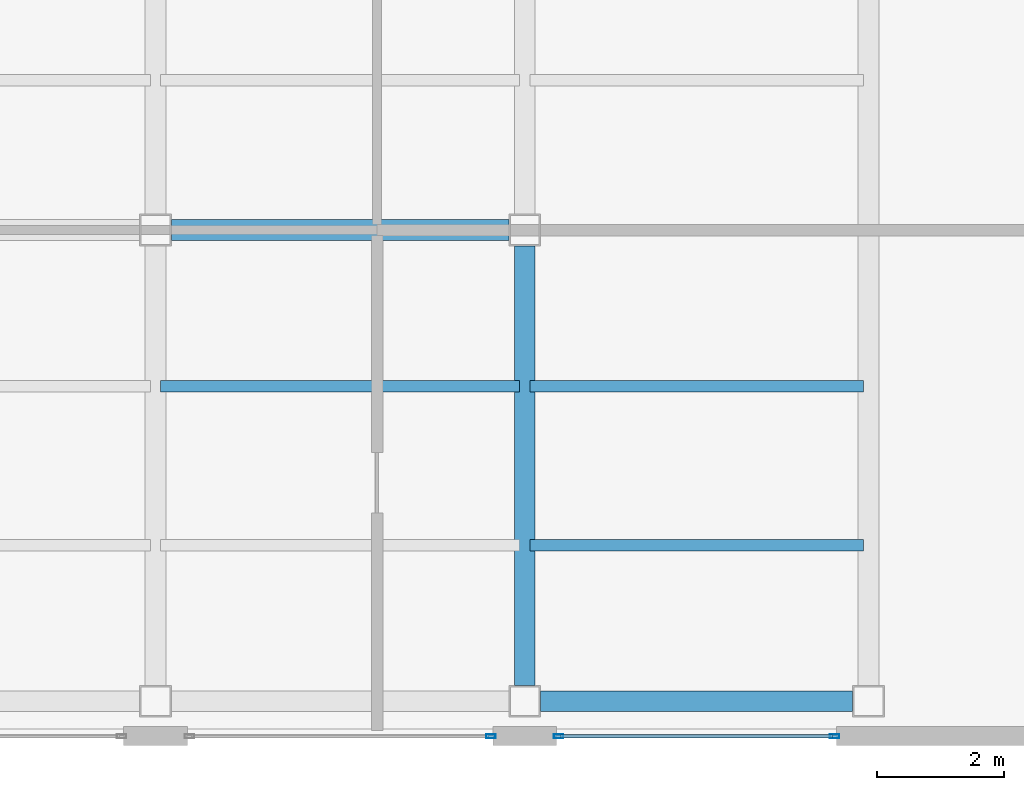
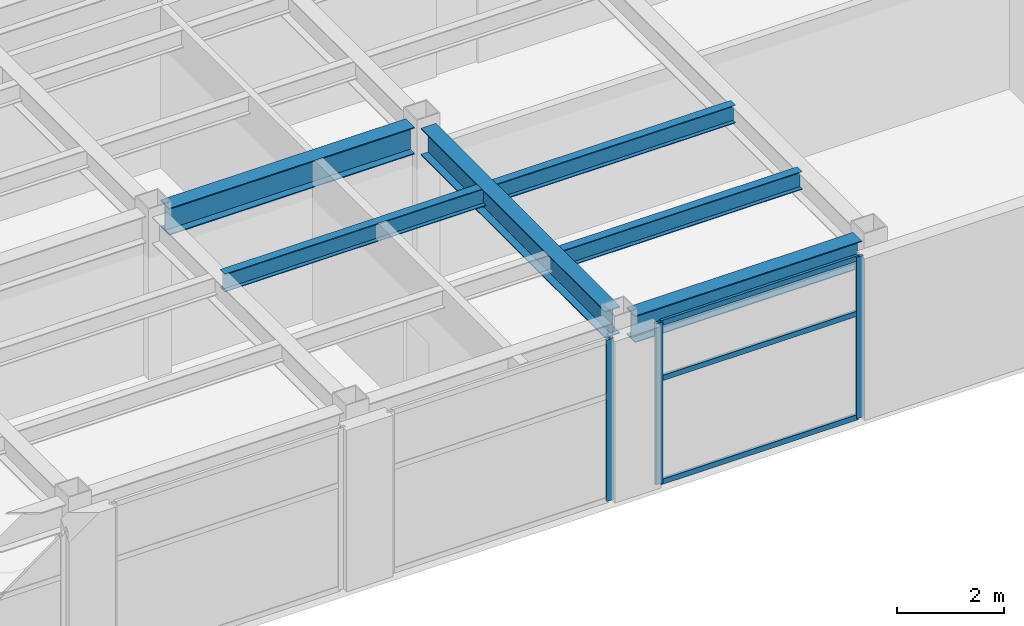
# One storey, part 7 of 15: 6 beams, 6 members, 2 elements without a shape of their own.
"""IFC4 building model written with IfcOpenShell, lengths in metres."""

from ifc_helpers import new_model, si_unit, direction, frame, origin, origin_2d, place, context, subcontext, project, spatial, hollow_rectangle, i_section, extrude, material, layer, layer_set, material_profile, profile_set, type_object, element, aggregate, save


model = new_model("IFC4")

# Units and contexts
model_context = context("Model", 3, precision=1e-05, world=origin(), true_north=direction((0.0, 1.0)))
body_context = subcontext(model_context, "Body", "Model", "MODEL_VIEW")
ifc_project = project(units=[si_unit("LENGTHUNIT", "METRE"), si_unit("AREAUNIT", "SQUARE_METRE"), si_unit("VOLUMEUNIT", "CUBIC_METRE"), si_unit("PLANEANGLEUNIT", "RADIAN"), si_unit("MASSUNIT", "GRAM", prefix="KILO")], contexts=[model_context])

# Site, building, storey
site_placement = place(None, origin())
site = spatial("IfcSite", under=ifc_project, at=site_placement, CompositionType="ELEMENT")
building_placement = place(site_placement, origin())
building = spatial("IfcBuilding", under=site, at=building_placement, Name="Mawjaban Terraces University", CompositionType="ELEMENT")
storey_placement = place(building_placement, frame((0.0, 0.0, 119.0)))
storey = spatial("IfcBuildingStorey", under=building, at=storey_placement, Name="L28", CompositionType="ELEMENT", Elevation=119.0)

# Beams
ifc_material_1 = material(Name="Steel ASTM A572 Grade 50", Category="steel")
ifc_material_profile_1 = material_profile(ifc_material_1, i_section(OverallWidth=0.324951171875, OverallDepth=0.615966796875, WebThickness=0.013916015625, FlangeThickness=0.021484375, at=origin_2d()), Name="W610X174")
ifc_profile_set_1 = profile_set([ifc_material_profile_1], Name="Steel ASTM A572 Grade 50")
beam_type_1 = type_object("IfcBeamType", Name="Beam_B_W610X174", PredefinedType="BEAM", material=ifc_profile_set_1)
beam_1_placement = place(storey_placement, frame((58.050048828125, 0.550048828125, 3.382080078125), z_axis=(1.0, 0.0, 0.0), x_axis=(0.0, 1.0, 0.0)))
element("IfcBeam", 1, at=beam_1_placement, inside=storey, type_object=beam_type_1, Name="L28 Beam BM-L28-EW-04", PredefinedType="BEAM", context=body_context, shape_type="SweptSolid", body=[
    extrude(i_section(OverallWidth=0.324951171875, OverallDepth=0.615966796875, WebThickness=0.013916015625, FlangeThickness=0.021484375, at=origin_2d()), origin(), (0.0, 0.0, 1.0), 4.89990234375),
])
beam_2_placement = place(storey_placement, frame((52.25, 7.949951171875, 3.382080078125), z_axis=(1.0, 0.0, 0.0), x_axis=(0.0, 1.0, 0.0)))
element("IfcBeam", 2, at=beam_2_placement, inside=storey, type_object=beam_type_1, Name="L28 Beam BM-L28-EW-07", PredefinedType="BEAM", context=body_context, shape_type="SweptSolid", body=[
    extrude(i_section(OverallWidth=0.324951171875, OverallDepth=0.615966796875, WebThickness=0.013916015625, FlangeThickness=0.021484375, at=origin_2d()), origin(), (0.0, 0.0, 1.0), 5.300048828125),
])
beam_3_placement = place(storey_placement, frame((57.800048828125, 0.800048828125, 3.382080078125), z_axis=(0.0, 1.0, 0.0), x_axis=(-1.0, 0.0, 0.0)))
element("IfcBeam", 3, at=beam_3_placement, inside=storey, type_object=beam_type_1, Name="L28 Beam BM-L28-NS-16", PredefinedType="BEAM", context=body_context, shape_type="SweptSolid", body=[
    extrude(i_section(OverallWidth=0.324951171875, OverallDepth=0.615966796875, WebThickness=0.013916015625, FlangeThickness=0.021484375, at=origin_2d()), origin(), (0.0, 0.0, 1.0), 6.89990234375),
])
ifc_material_profile_2 = material_profile(ifc_material_1, i_section(OverallWidth=0.179931640625, OverallDepth=0.4130859375, WebThickness=0.009765625, FlangeThickness=0.01611328125, at=origin_2d()), Name="W410X74")
ifc_profile_set_2 = profile_set([ifc_material_profile_2], Name="Steel ASTM A572 Grade 50")
beam_type_2 = type_object("IfcBeamType", Name="Beam_J_W410X74", PredefinedType="JOIST", material=ifc_profile_set_2)
beam_4_placement = place(storey_placement, frame((57.8798828125, 3.0, 3.48291015625), z_axis=(1.0, 0.0, 0.0), x_axis=(0.0, 1.0, 0.0)))
element("IfcBeam", 4, at=beam_4_placement, inside=storey, type_object=beam_type_2, Name="L28 Composite Joist JST-L28-04", PredefinedType="JOIST", context=body_context, shape_type="SweptSolid", body=[
    extrude(i_section(OverallWidth=0.179931640625, OverallDepth=0.4130859375, WebThickness=0.009765625, FlangeThickness=0.01611328125, at=origin_2d()), origin(), (0.0, 0.0, 1.0), 5.240234375),
])
beam_5_placement = place(storey_placement, frame((52.080078125, 5.5, 3.48291015625), z_axis=(1.0, 0.0, 0.0), x_axis=(0.0, 1.0, 0.0)))
element("IfcBeam", 5, at=beam_5_placement, inside=storey, type_object=beam_type_2, Name="L28 Composite Joist JST-L28-07", PredefinedType="JOIST", context=body_context, shape_type="SweptSolid", body=[
    extrude(i_section(OverallWidth=0.179931640625, OverallDepth=0.4130859375, WebThickness=0.009765625, FlangeThickness=0.01611328125, at=origin_2d()), origin(), (0.0, 0.0, 1.0), 5.639892578125),
])
beam_6_placement = place(storey_placement, frame((57.8798828125, 5.5, 3.48291015625), z_axis=(1.0, 0.0, 0.0), x_axis=(0.0, 1.0, 0.0)))
element("IfcBeam", 6, at=beam_6_placement, inside=storey, type_object=beam_type_2, Name="L28 Composite Joist JST-L28-08", PredefinedType="JOIST", context=body_context, shape_type="SweptSolid", body=[
    extrude(i_section(OverallWidth=0.179931640625, OverallDepth=0.4130859375, WebThickness=0.009765625, FlangeThickness=0.01611328125, at=origin_2d()), origin(), (0.0, 0.0, 1.0), 5.240234375),
])

# Curtain wall, member
ifc_material_2 = material(Name="Anodised aluminium 6063-T6 and solar-control low-E glass", Category="aluminium")
ifc_layer = layer(ifc_material_2, 0.1650390625)
ifc_layer_set = layer_set([ifc_layer], Name="Anodised aluminium 6063-T6 and solar-control low-E glass")
curtain_wall_type = type_object("IfcCurtainWallType", Name="CWSystem_04_EastWing", PredefinedType="NOTDEFINED", material=ifc_layer_set)
curtain_wall_1_placement = place(storey_placement, origin())
curtain_wall_1 = element("IfcCurtainWall", 7, at=curtain_wall_1_placement, inside=storey, type_object=curtain_wall_type, Name="L28 Curtain Wall CW-04 Run 1.4", PredefinedType="NOTDEFINED")
ifc_material_3 = material(Name="Anodised aluminium 6063-T6", Category="aluminium")
ifc_material_profile_3 = material_profile(ifc_material_3, hollow_rectangle(XDim=0.06005859375, YDim=0.14990234375, WallThickness=0.00390625, at=origin_2d()), Name="ALU150X60X4")
ifc_profile_set_3 = profile_set([ifc_material_profile_3], Name="Anodised aluminium 6063-T6")
member_type_1 = type_object("IfcMemberType", Name="Mullion_CW-04", PredefinedType="MULLION", material=ifc_profile_set_3)
member_1_placement = place(storey_placement, frame((57.267578125, 0.0, 0.0), z_axis=(0.0, 0.0, 1.0), x_axis=(0.0, 1.0, 0.0)))
member_1 = element("IfcMember", 8, at=member_1_placement, type_object=member_type_1, Name="CW-04 mullion 2", PredefinedType="MULLION", context=body_context, shape_type="SweptSolid", body=[
    extrude(hollow_rectangle(XDim=0.06005859375, YDim=0.14990234375, WallThickness=0.00390625, at=origin_2d()), origin(), (0.0, 0.0, 1.0), 3.68994140625),
])
aggregate(curtain_wall_1, [member_1])

# Curtain wall, members
curtain_wall_2_placement = place(storey_placement, origin())
curtain_wall_2 = element("IfcCurtainWall", 9, at=curtain_wall_2_placement, inside=storey, type_object=curtain_wall_type, Name="L28 Curtain Wall CW-04 Run 1.5", PredefinedType="NOTDEFINED")
member_2_placement = place(storey_placement, frame((58.33251953125, 0.0, 0.0), z_axis=(0.0, 0.0, 1.0), x_axis=(0.0, 1.0, 0.0)))
member_2 = element("IfcMember", 10, at=member_2_placement, type_object=member_type_1, Name="CW-04 mullion 1", PredefinedType="MULLION", context=body_context, shape_type="SweptSolid", body=[
    extrude(hollow_rectangle(XDim=0.06005859375, YDim=0.14990234375, WallThickness=0.00390625, at=origin_2d()), origin(), (0.0, 0.0, 1.0), 3.68994140625),
])
member_3_placement = place(storey_placement, frame((62.66748046875, 0.0, 0.0), z_axis=(0.0, 0.0, 1.0), x_axis=(0.0, 1.0, 0.0)))
member_3 = element("IfcMember", 11, at=member_3_placement, type_object=member_type_1, Name="CW-04 mullion 2", PredefinedType="MULLION", context=body_context, shape_type="SweptSolid", body=[
    extrude(hollow_rectangle(XDim=0.06005859375, YDim=0.14990234375, WallThickness=0.00390625, at=origin_2d()), origin(), (0.0, 0.0, 1.0), 3.68994140625),
])
ifc_material_profile_4 = material_profile(ifc_material_3, hollow_rectangle(XDim=0.06005859375, YDim=0.1201171875, WallThickness=0.00341796875, at=origin_2d()), Name="ALU120X60X3.5")
ifc_profile_set_4 = profile_set([ifc_material_profile_4], Name="Anodised aluminium 6063-T6")
member_type_2 = type_object("IfcMemberType", Name="Transom_CW-04", PredefinedType="NOTDEFINED", material=ifc_profile_set_4)
member_4_placement = place(storey_placement, frame((58.364990234375, 0.0, 0.030029296875), z_axis=(1.0, 0.0, 0.0), x_axis=(0.0, 1.0, 0.0)))
member_4 = element("IfcMember", 12, at=member_4_placement, type_object=member_type_2, Name="CW-04 transom 1.1", ObjectType="TRANSOM", PredefinedType="USERDEFINED", context=body_context, shape_type="SweptSolid", body=[
    extrude(hollow_rectangle(XDim=0.06005859375, YDim=0.1201171875, WallThickness=0.00341796875, at=origin_2d()), origin(), (0.0, 0.0, 1.0), 4.27001953125),
])
member_5_placement = place(storey_placement, frame((58.364990234375, 0.0, 2.39794921875), z_axis=(1.0, 0.0, 0.0), x_axis=(0.0, 1.0, 0.0)))
member_5 = element("IfcMember", 13, at=member_5_placement, type_object=member_type_2, Name="CW-04 transom 1.2", ObjectType="TRANSOM", PredefinedType="USERDEFINED", context=body_context, shape_type="SweptSolid", body=[
    extrude(hollow_rectangle(XDim=0.06005859375, YDim=0.1201171875, WallThickness=0.00341796875, at=origin_2d()), origin(), (0.0, 0.0, 1.0), 4.27001953125),
])
member_6_placement = place(storey_placement, frame((58.364990234375, 0.0, 3.659912109375), z_axis=(1.0, 0.0, 0.0), x_axis=(0.0, 1.0, 0.0)))
member_6 = element("IfcMember", 14, at=member_6_placement, type_object=member_type_2, Name="CW-04 transom 1.3", ObjectType="TRANSOM", PredefinedType="USERDEFINED", context=body_context, shape_type="SweptSolid", body=[
    extrude(hollow_rectangle(XDim=0.06005859375, YDim=0.1201171875, WallThickness=0.00341796875, at=origin_2d()), origin(), (0.0, 0.0, 1.0), 4.27001953125),
])
aggregate(curtain_wall_2, [member_2, member_3, member_4, member_5, member_6])

save(model, "model.ifc")
